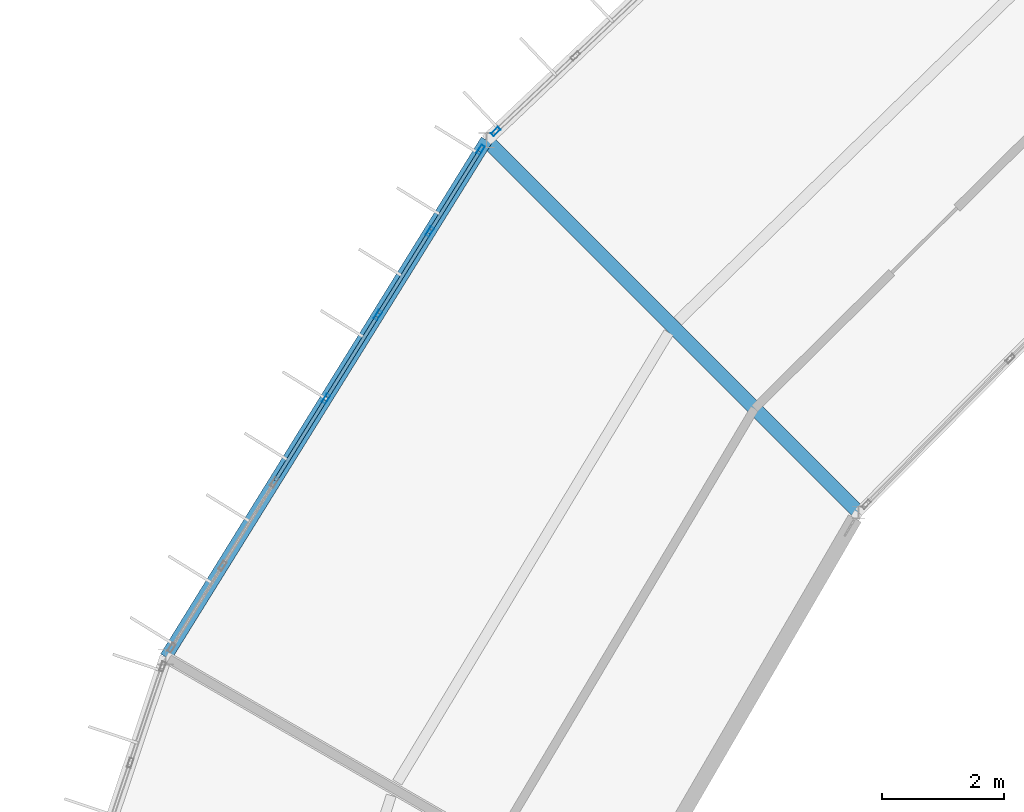
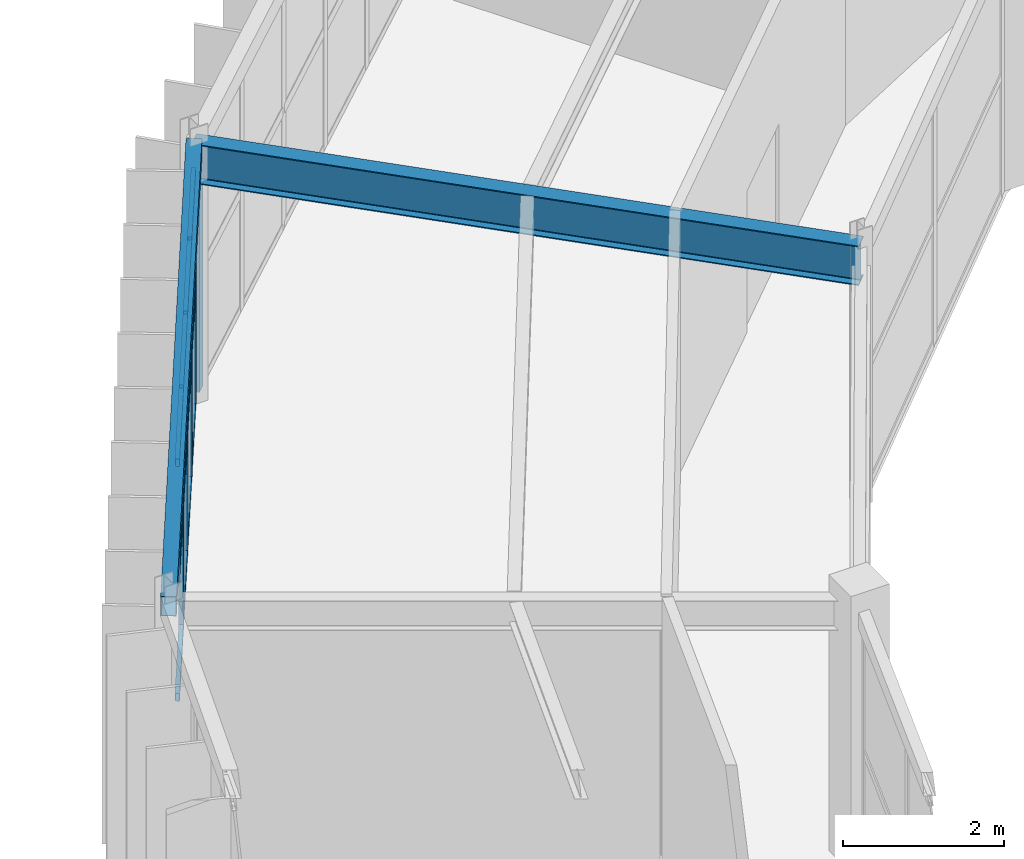
# One storey, part 86 of 157: 17 members, 2 beams, 2 elements without a shape of their own.
"""IFC4 building model written with IfcOpenShell, lengths in metres."""

import ifcopenshell
import ifcopenshell.guid

model = None  # the IFC model being written
_history = None  # IfcOwnerHistory: only IFC2X3 demands one
_inside = {}  # id of a spatial element -> (the spatial element, [elements in it])
_under = {}  # id of a project, library or spatial element -> (it, [spatial elements below it])
_declared = {}  # id of a project -> (the project, [libraries it declares])
_typed = {}  # id of a type object -> (the type object, [elements of that type])
_made_of = {}  # id of a material, layer set ... -> (it, [elements and type objects made of it])


def new_model(schema):
    """Start an empty IFC model of exactly this schema.

    Asked for "IFC4X3", IfcOpenShell would pick the latest addendum, in which some entities
    have other attributes; the version numbers below select the first issue.
    IFC2X3 requires an IfcOwnerHistory on every rooted entity: one is made here for all.
    """
    global model, _history
    if schema == "IFC4X3":
        model = ifcopenshell.file(schema_version=(4, 3, 0, 0))
    else:
        model = ifcopenshell.file(schema=schema)
    _inside.clear()
    _under.clear()
    _declared.clear()
    _typed.clear()
    _made_of.clear()
    _history = None
    if model.schema == "IFC2X3":
        org = make("IfcOrganization", Name="unknown")
        user = make(
            "IfcPersonAndOrganization",
            ThePerson=make("IfcPerson", FamilyName="unknown"),
            TheOrganization=org,
        )
        app = make(
            "IfcApplication",
            ApplicationDeveloper=org,
            Version="unknown",
            ApplicationFullName="unknown",
            ApplicationIdentifier="unknown",
        )
        _history = make(
            "IfcOwnerHistory",
            OwningUser=user,
            OwningApplication=app,
            ChangeAction="ADDED",
            CreationDate=0,
        )
    return model


def make(cls, **values):
    """One entity of the class cls with the attributes given. An attribute that is None is left unset."""
    return model.create_entity(
        cls, **{name: value for name, value in values.items() if value is not None}
    )


def rooted(cls, **values):
    """An entity with a GlobalId (a new one), such as an element, a storey or a relation."""
    return make(cls, GlobalId=ifcopenshell.guid.new(), OwnerHistory=_history, **values)


def si_unit(unit_type, name, prefix=None):
    """IfcSIUnit, for example si_unit("LENGTHUNIT", "METRE", prefix="MILLI")."""
    return make("IfcSIUnit", UnitType=unit_type, Prefix=prefix, Name=name)


def assignment(units):
    """IfcUnitAssignment: the units of a project."""
    return None if units is None else make("IfcUnitAssignment", Units=units)


def point(xyz):
    """IfcCartesianPoint."""
    return None if xyz is None else make("IfcCartesianPoint", Coordinates=xyz)


def direction(xyz):
    """IfcDirection."""
    return None if xyz is None else make("IfcDirection", DirectionRatios=xyz)


def frame(location, z_axis=None, x_axis=None):
    """IfcAxis2Placement3D, a coordinate frame: its origin and axes. An axis left out is left unset."""
    return make(
        "IfcAxis2Placement3D",
        Location=point(location),
        Axis=direction(z_axis),
        RefDirection=direction(x_axis),
    )


def frame_2d(location, x_axis=None):
    """IfcAxis2Placement2D, a coordinate frame in the plane: its origin and x axis."""
    return make(
        "IfcAxis2Placement2D", Location=point(location), RefDirection=direction(x_axis)
    )


def origin():
    """The frame at (0, 0, 0) with its axes left unset."""
    return frame((0.0, 0.0, 0.0))


def origin_2d():
    """The frame at (0, 0) in the plane with its x axis left unset."""
    return frame_2d((0.0, 0.0))


def place(relative_to, where):
    """IfcLocalPlacement: puts the frame where relative to a parent placement (None: the world)."""
    return make(
        "IfcLocalPlacement", PlacementRelTo=relative_to, RelativePlacement=where
    )


def context(
    kind, dimensions, precision=None, world=None, true_north=None, identifier=None
):
    """IfcGeometricRepresentationContext, for example the 3D "Model" context."""
    return make(
        "IfcGeometricRepresentationContext",
        ContextIdentifier=identifier,
        ContextType=kind,
        CoordinateSpaceDimension=dimensions,
        Precision=precision,
        WorldCoordinateSystem=world,
        TrueNorth=true_north,
    )


def subcontext(parent, identifier, kind, view, scale=None):
    """IfcGeometricRepresentationSubContext, for example "Body" below "Model"."""
    return make(
        "IfcGeometricRepresentationSubContext",
        ContextIdentifier=identifier,
        ContextType=kind,
        ParentContext=parent,
        TargetScale=scale,
        TargetView=view,
    )


def project(units=None, contexts=None):
    """IfcProject with its units and contexts."""
    return rooted(
        "IfcProject",
        Name="project",
        RepresentationContexts=contexts,
        UnitsInContext=assignment(units),
    )


def spatial(cls, under=None, at=None, **own):
    """A site, building, storey or space (cls), placed at a placement, below another one or the project."""
    s = rooted(cls, ObjectPlacement=at, **own)
    if under is not None:
        _under.setdefault(under.id(), (under, []))[1].append(s)
    return s


def profile(cls, at=None, kind="AREA", **sizes):
    """A parametric profile (cls). Its sizes go by their IFC names, for example OverallWidth=200.0."""
    return make(cls, ProfileType=kind, Position=at, **sizes)


def hollow_rectangle(**sizes):
    """IfcRectangleHollowProfileDef."""
    return profile("IfcRectangleHollowProfileDef", **sizes)


def i_section(**sizes):
    """IfcIShapeProfileDef."""
    return profile("IfcIShapeProfileDef", **sizes)


def extrude(swept, where, along, depth):
    """IfcExtrudedAreaSolid: the profile swept, set in the frame where, extruded along a direction by depth."""
    return make(
        "IfcExtrudedAreaSolid",
        SweptArea=swept,
        Position=where,
        ExtrudedDirection=direction(along),
        Depth=depth,
    )


def shape(context_of_items, identifier, shape_type, items):
    """IfcShapeRepresentation: the items that make up one representation, for example the "Body"."""
    return make(
        "IfcShapeRepresentation",
        ContextOfItems=context_of_items,
        RepresentationIdentifier=identifier,
        RepresentationType=shape_type,
        Items=items,
    )


def material(Name=None, Category=None):
    """IfcMaterial."""
    return make("IfcMaterial", Name=Name, Category=Category)


def material_profile(
    of_material, cross_section, Name=None, Category=None, Priority=None
):
    """IfcMaterialProfile: a cross section and its material."""
    return make(
        "IfcMaterialProfile",
        Name=Name,
        Material=of_material,
        Profile=cross_section,
        Priority=Priority,
        Category=Category,
    )


def profile_set(profiles, Name=None, composite=None):
    """IfcMaterialProfileSet."""
    return make(
        "IfcMaterialProfileSet",
        Name=Name,
        MaterialProfiles=profiles,
        CompositeProfile=composite,
    )


def made_of(thing, what):
    """Note that an element or type object is made of a material, layer set ...; save() writes the relation."""
    if what is not None:
        _made_of.setdefault(what.id(), (what, []))[1].append(thing)
    return thing


def type_object(cls, material=None, **own):
    """A type object (cls), such as IfcWallType, which elements share."""
    return made_of(rooted(cls, **own), material)


def element(
    cls,
    number,
    at=None,
    inside=None,
    cuts=None,
    type_object=None,
    material=None,
    context=None,
    identifier="Body",
    shape_type=None,
    held_by="IfcProductDefinitionShape",
    body=None,
    shapes=None,
    **own,
):
    """One element of the class cls, such as IfcWall. Its Tag is "e" and its number.

    at: its placement. inside: the storey or other place that contains it. cuts: it is an
    opening in that element (IfcRelVoidsElement). A single representation is given by context,
    identifier, shape_type and body (its items); several are given by shapes. held_by: the class
    of the entity that holds the representations. save() writes the other relations.
    """
    e = rooted(cls, Tag="e%d" % number, ObjectPlacement=at, **own)
    if body is not None:
        shapes = [shape(context, identifier, shape_type, body)]
    if shapes is not None:
        e.Representation = make(held_by, Representations=shapes)
    if inside is not None:
        _inside.setdefault(inside.id(), (inside, []))[1].append(e)
    if cuts is not None:
        rooted(
            "IfcRelVoidsElement", RelatingBuildingElement=cuts, RelatedOpeningElement=e
        )
    if type_object is not None:
        _typed.setdefault(type_object.id(), (type_object, []))[1].append(e)
    return made_of(e, material)


def aggregate(whole, parts):
    """IfcRelAggregates: a whole, such as a stair, and the parts it consists of."""
    return rooted("IfcRelAggregates", RelatingObject=whole, RelatedObjects=parts)


def save(model, path):
    """Write the relations noted so far, then the file.

    IfcRelAggregates (storeys below a building ...), IfcRelContainedInSpatialStructure (elements
    in a storey), IfcRelDefinesByType, IfcRelAssociatesMaterial and IfcRelDeclares: one each for
    every whole, place, type object, material and project.
    """
    for whole, parts in _under.values():
        aggregate(whole, parts)
    for where, things in _inside.values():
        rooted(
            "IfcRelContainedInSpatialStructure",
            RelatedElements=things,
            RelatingStructure=where,
        )
    for kind, things in _typed.values():
        rooted("IfcRelDefinesByType", RelatedObjects=things, RelatingType=kind)
    for what, things in _made_of.values():
        rooted("IfcRelAssociatesMaterial", RelatedObjects=things, RelatingMaterial=what)
    for by, libraries in _declared.values():
        rooted("IfcRelDeclares", RelatingContext=by, RelatedDefinitions=libraries)
    model.write(path)


model = new_model("IFC4")

# Units and contexts
model_context = context("Model", 3, precision=1e-05, world=origin(), true_north=direction((0.0, 1.0)))
body_context = subcontext(model_context, "Body", "Model", "MODEL_VIEW")
ifc_project = project(units=[si_unit("LENGTHUNIT", "METRE"), si_unit("AREAUNIT", "SQUARE_METRE"), si_unit("VOLUMEUNIT", "CUBIC_METRE"), si_unit("PLANEANGLEUNIT", "RADIAN"), si_unit("MASSUNIT", "GRAM", prefix="KILO")], contexts=[model_context])

# Site, building, storey
site_placement = place(None, origin())
site = spatial("IfcSite", under=ifc_project, at=site_placement, CompositionType="ELEMENT")
building_placement = place(site_placement, origin())
building = spatial("IfcBuilding", under=site, at=building_placement, Name="Karori Crest Natural Sciences Institute", CompositionType="ELEMENT")
storey_placement = place(building_placement, frame((0.0, 0.0, 13.300048828125)))
storey = spatial("IfcBuildingStorey", under=building, at=storey_placement, Name="L03", CompositionType="ELEMENT", Elevation=13.300048828125)

# Beams
ifc_material_1 = material(Name="Hollow structural steel AS/NZS 1163 Grade C350", Category="steel")
ifc_material_profile_1 = material_profile(ifc_material_1, hollow_rectangle(XDim=0.199951171875, YDim=0.300048828125, WallThickness=0.010009765625, at=origin_2d()), Name="RHS300x200x10")
ifc_profile_set_1 = profile_set([ifc_material_profile_1], Name="Hollow structural steel AS/NZS 1163 Grade C350")
beam_type_1 = type_object("IfcBeamType", Name="BT-15", PredefinedType="SPANDREL", material=ifc_profile_set_1)
beam_1_placement = place(storey_placement, frame((43.0654296875, 78.75, 3.7900390625), z_axis=(-0.527315195609, -0.849669750244, 0.0), x_axis=(0.849669750244, -0.527315195609, 0.0)))
element("IfcBeam", 1, at=beam_1_placement, inside=storey, type_object=beam_type_1, Name="Beam B-0395", PredefinedType="SPANDREL", context=body_context, shape_type="SweptSolid", body=[
    extrude(hollow_rectangle(XDim=0.199951171875, YDim=0.300048828125, WallThickness=0.010009765625, at=origin_2d()), origin(), (0.0, 0.0, 1.0), 9.945068359375),
])
ifc_material_2 = material(Name="Structural steel AS/NZS 3679.1 Grade 350", Category="steel")
ifc_material_profile_2 = material_profile(ifc_material_2, i_section(OverallWidth=0.22802734375, OverallDepth=0.60205078125, WebThickness=0.010498046875, FlangeThickness=0.014892578125, FilletRadius=0.013916015625, at=origin_2d()), Name="610UB101")
ifc_profile_set_2 = profile_set([ifc_material_profile_2], Name="Structural steel AS/NZS 3679.1 Grade 350")
beam_type_2 = type_object("IfcBeamType", Name="BT-27", PredefinedType="BEAM", material=ifc_profile_set_2)
beam_2_placement = place(storey_placement, frame((49.146484375, 72.668701171875, 3.638916015625), z_axis=(-0.707092586958, 0.70712097513, 0.0), x_axis=(-0.70712097513, -0.707092586958, 0.0)))
element("IfcBeam", 2, at=beam_2_placement, inside=storey, type_object=beam_type_2, Name="Beam B-0397", PredefinedType="BEAM", context=body_context, shape_type="SweptSolid", body=[
    extrude(i_section(OverallWidth=0.22802734375, OverallDepth=0.60205078125, WebThickness=0.010498046875, FlangeThickness=0.014892578125, FilletRadius=0.013916015625, at=origin_2d()), origin(), (0.0, 0.0, 1.0), 8.60009765625),
])

# Curtain wall, member
ifc_material_3 = material(Name="Anodised architectural aluminium 6063-T6", Category="aluminium")
curtain_wall_type_1 = type_object("IfcCurtainWallType", Name="CWT-09", PredefinedType="NOTDEFINED", material=ifc_material_3)
curtain_wall_1_placement = place(storey_placement, origin())
curtain_wall_1 = element("IfcCurtainWall", 3, at=curtain_wall_1_placement, inside=storey, type_object=curtain_wall_type_1, Name="Curtain wall CW-0112", PredefinedType="NOTDEFINED")
ifc_material_profile_3 = material_profile(ifc_material_3, hollow_rectangle(XDim=0.06494140625, YDim=0.159912109375, WallThickness=0.00390625, at=origin_2d()), Name="CWM160x65x4")
ifc_profile_set_3 = profile_set([ifc_material_profile_3], Name="Anodised architectural aluminium 6063-T6")
member_type_1 = type_object("IfcMemberType", Name="CWM-01", PredefinedType="MULLION", material=ifc_profile_set_3)
member_1_placement = place(storey_placement, frame((43.215576171875, 78.892333984375, 0.0), z_axis=(0.0, 0.0, 1.0), x_axis=(-0.688250542104, 0.725473081026, 0.0)))
member_1 = element("IfcMember", 4, at=member_1_placement, type_object=member_type_1, Name="CW-0112 mullion 1", PredefinedType="MULLION", context=body_context, shape_type="SweptSolid", body=[
    extrude(hollow_rectangle(XDim=0.06494140625, YDim=0.159912109375, WallThickness=0.00390625, at=origin_2d()), origin(), (0.0, 0.0, 1.0), 3.625),
])
aggregate(curtain_wall_1, [member_1])

# Curtain wall, members
curtain_wall_type_2 = type_object("IfcCurtainWallType", Name="CWT-10", PredefinedType="NOTDEFINED", material=ifc_material_3)
curtain_wall_2_placement = place(storey_placement, origin())
curtain_wall_2 = element("IfcCurtainWall", 5, at=curtain_wall_2_placement, inside=storey, type_object=curtain_wall_type_2, Name="Curtain wall CW-0114", PredefinedType="NOTDEFINED")
member_2_placement = place(storey_placement, frame((40.4423828125, 74.5234375, 0.0), z_axis=(0.0, 0.0, 1.0), x_axis=(-0.849664350398, 0.527323896352, 0.0)))
member_2 = element("IfcMember", 6, at=member_2_placement, type_object=member_type_1, Name="CW-0114 mullion 4", PredefinedType="MULLION", context=body_context, shape_type="SweptSolid", body=[
    extrude(hollow_rectangle(XDim=0.06494140625, YDim=0.159912109375, WallThickness=0.00390625, at=origin_2d()), origin(), (0.0, 0.0, 1.0), 3.625),
])
member_3_placement = place(storey_placement, frame((41.290283203125, 75.8896484375, 0.0), z_axis=(0.0, 0.0, 1.0), x_axis=(-0.849664350398, 0.527323896352, 0.0)))
member_3 = element("IfcMember", 7, at=member_3_placement, type_object=member_type_1, Name="CW-0114 mullion 5", PredefinedType="MULLION", context=body_context, shape_type="SweptSolid", body=[
    extrude(hollow_rectangle(XDim=0.06494140625, YDim=0.159912109375, WallThickness=0.00390625, at=origin_2d()), origin(), (0.0, 0.0, 1.0), 3.625),
])
member_4_placement = place(storey_placement, frame((42.13818359375, 77.255615234375, 0.0), z_axis=(0.0, 0.0, 1.0), x_axis=(-0.849664350398, 0.527323896352, 0.0)))
member_4 = element("IfcMember", 8, at=member_4_placement, type_object=member_type_1, Name="CW-0114 mullion 6", PredefinedType="MULLION", context=body_context, shape_type="SweptSolid", body=[
    extrude(hollow_rectangle(XDim=0.06494140625, YDim=0.159912109375, WallThickness=0.00390625, at=origin_2d()), origin(), (0.0, 0.0, 1.0), 3.625),
])
member_5_placement = place(storey_placement, frame((42.96875, 78.593994140625, 0.0), z_axis=(0.0, 0.0, 1.0), x_axis=(-0.849664350398, 0.527323896352, 0.0)))
member_5 = element("IfcMember", 9, at=member_5_placement, type_object=member_type_1, Name="CW-0114 mullion 7", PredefinedType="MULLION", context=body_context, shape_type="SweptSolid", body=[
    extrude(hollow_rectangle(XDim=0.06494140625, YDim=0.159912109375, WallThickness=0.00390625, at=origin_2d()), origin(), (0.0, 0.0, 1.0), 3.625),
])
ifc_material_profile_4 = material_profile(ifc_material_3, hollow_rectangle(XDim=0.06005859375, YDim=0.1201171875, WallThickness=0.00390625, at=origin_2d()), Name="CWT120x60x4")
ifc_profile_set_4 = profile_set([ifc_material_profile_4], Name="Anodised architectural aluminium 6063-T6")
member_type_2 = type_object("IfcMemberType", Name="CWT-TR1", PredefinedType="USERDEFINED", material=ifc_profile_set_4)
member_6_placement = place(storey_placement, frame((39.61181640625, 73.18505859375, 0.030029296875), z_axis=(0.527307708925, 0.849674396524, 0.0), x_axis=(-0.849674396524, 0.527307708925, 0.0)))
member_6 = element("IfcMember", 10, at=member_6_placement, type_object=member_type_2, Name="CW-0114 transom 3.1", ObjectType="TRANSOM", PredefinedType="USERDEFINED", context=body_context, shape_type="SweptSolid", body=[
    extrude(hollow_rectangle(XDim=0.06005859375, YDim=0.1201171875, WallThickness=0.00390625, at=origin_2d()), origin(), (0.0, 0.0, 1.0), 1.542724609375),
])
member_7_placement = place(storey_placement, frame((39.61181640625, 73.18505859375, 1.8125), z_axis=(0.527307708925, 0.849674396524, 0.0), x_axis=(-0.849674396524, 0.527307708925, 0.0)))
member_7 = element("IfcMember", 11, at=member_7_placement, type_object=member_type_2, Name="CW-0114 transom 3.2", ObjectType="TRANSOM", PredefinedType="USERDEFINED", context=body_context, shape_type="SweptSolid", body=[
    extrude(hollow_rectangle(XDim=0.06005859375, YDim=0.1201171875, WallThickness=0.00390625, at=origin_2d()), origin(), (0.0, 0.0, 1.0), 1.542724609375),
])
member_8_placement = place(storey_placement, frame((39.61181640625, 73.18505859375, 3.594970703125), z_axis=(0.527307708925, 0.849674396524, 0.0), x_axis=(-0.849674396524, 0.527307708925, 0.0)))
member_8 = element("IfcMember", 12, at=member_8_placement, type_object=member_type_2, Name="CW-0114 transom 3.3", ObjectType="TRANSOM", PredefinedType="USERDEFINED", context=body_context, shape_type="SweptSolid", body=[
    extrude(hollow_rectangle(XDim=0.06005859375, YDim=0.1201171875, WallThickness=0.00390625, at=origin_2d()), origin(), (0.0, 0.0, 1.0), 1.542724609375),
])
member_9_placement = place(storey_placement, frame((40.45947265625, 74.551025390625, 0.030029296875), z_axis=(0.527351046072, 0.849647499971, 0.0), x_axis=(-0.849647499971, 0.527351046072, 0.0)))
member_9 = element("IfcMember", 13, at=member_9_placement, type_object=member_type_2, Name="CW-0114 transom 4.1", ObjectType="TRANSOM", PredefinedType="USERDEFINED", context=body_context, shape_type="SweptSolid", body=[
    extrude(hollow_rectangle(XDim=0.06005859375, YDim=0.1201171875, WallThickness=0.00390625, at=origin_2d()), origin(), (0.0, 0.0, 1.0), 1.54296875),
])
member_10_placement = place(storey_placement, frame((40.45947265625, 74.551025390625, 1.8125), z_axis=(0.527351046072, 0.849647499971, 0.0), x_axis=(-0.849647499971, 0.527351046072, 0.0)))
member_10 = element("IfcMember", 14, at=member_10_placement, type_object=member_type_2, Name="CW-0114 transom 4.2", ObjectType="TRANSOM", PredefinedType="USERDEFINED", context=body_context, shape_type="SweptSolid", body=[
    extrude(hollow_rectangle(XDim=0.06005859375, YDim=0.1201171875, WallThickness=0.00390625, at=origin_2d()), origin(), (0.0, 0.0, 1.0), 1.54296875),
])
member_11_placement = place(storey_placement, frame((40.45947265625, 74.551025390625, 3.594970703125), z_axis=(0.527351046072, 0.849647499971, 0.0), x_axis=(-0.849647499971, 0.527351046072, 0.0)))
member_11 = element("IfcMember", 15, at=member_11_placement, type_object=member_type_2, Name="CW-0114 transom 4.3", ObjectType="TRANSOM", PredefinedType="USERDEFINED", context=body_context, shape_type="SweptSolid", body=[
    extrude(hollow_rectangle(XDim=0.06005859375, YDim=0.1201171875, WallThickness=0.00390625, at=origin_2d()), origin(), (0.0, 0.0, 1.0), 1.54296875),
])
member_12_placement = place(storey_placement, frame((41.307373046875, 75.917236328125, 0.030029296875), z_axis=(0.527307708925, 0.849674396524, 0.0), x_axis=(-0.849674396524, 0.527307708925, 0.0)))
member_12 = element("IfcMember", 16, at=member_12_placement, type_object=member_type_2, Name="CW-0114 transom 5.1", ObjectType="TRANSOM", PredefinedType="USERDEFINED", context=body_context, shape_type="SweptSolid", body=[
    extrude(hollow_rectangle(XDim=0.06005859375, YDim=0.1201171875, WallThickness=0.00390625, at=origin_2d()), origin(), (0.0, 0.0, 1.0), 1.542724609375),
])
member_13_placement = place(storey_placement, frame((41.307373046875, 75.917236328125, 1.8125), z_axis=(0.527307708925, 0.849674396524, 0.0), x_axis=(-0.849674396524, 0.527307708925, 0.0)))
member_13 = element("IfcMember", 17, at=member_13_placement, type_object=member_type_2, Name="CW-0114 transom 5.2", ObjectType="TRANSOM", PredefinedType="USERDEFINED", context=body_context, shape_type="SweptSolid", body=[
    extrude(hollow_rectangle(XDim=0.06005859375, YDim=0.1201171875, WallThickness=0.00390625, at=origin_2d()), origin(), (0.0, 0.0, 1.0), 1.542724609375),
])
member_14_placement = place(storey_placement, frame((41.307373046875, 75.917236328125, 3.594970703125), z_axis=(0.527307708925, 0.849674396524, 0.0), x_axis=(-0.849674396524, 0.527307708925, 0.0)))
member_14 = element("IfcMember", 18, at=member_14_placement, type_object=member_type_2, Name="CW-0114 transom 5.3", ObjectType="TRANSOM", PredefinedType="USERDEFINED", context=body_context, shape_type="SweptSolid", body=[
    extrude(hollow_rectangle(XDim=0.06005859375, YDim=0.1201171875, WallThickness=0.00390625, at=origin_2d()), origin(), (0.0, 0.0, 1.0), 1.542724609375),
])
member_15_placement = place(storey_placement, frame((42.1552734375, 77.283203125, 0.030029296875), z_axis=(0.52732262058, 0.849665142173, 0.0), x_axis=(-0.849665142173, 0.52732262058, 0.0)))
member_15 = element("IfcMember", 19, at=member_15_placement, type_object=member_type_2, Name="CW-0114 transom 6.1", ObjectType="TRANSOM", PredefinedType="USERDEFINED", context=body_context, shape_type="SweptSolid", body=[
    extrude(hollow_rectangle(XDim=0.06005859375, YDim=0.1201171875, WallThickness=0.00390625, at=origin_2d()), origin(), (0.0, 0.0, 1.0), 1.51025390625),
])
member_16_placement = place(storey_placement, frame((42.1552734375, 77.283203125, 1.8125), z_axis=(0.52732262058, 0.849665142173, 0.0), x_axis=(-0.849665142173, 0.52732262058, 0.0)))
member_16 = element("IfcMember", 20, at=member_16_placement, type_object=member_type_2, Name="CW-0114 transom 6.2", ObjectType="TRANSOM", PredefinedType="USERDEFINED", context=body_context, shape_type="SweptSolid", body=[
    extrude(hollow_rectangle(XDim=0.06005859375, YDim=0.1201171875, WallThickness=0.00390625, at=origin_2d()), origin(), (0.0, 0.0, 1.0), 1.51025390625),
])
member_17_placement = place(storey_placement, frame((42.1552734375, 77.283203125, 3.594970703125), z_axis=(0.52732262058, 0.849665142173, 0.0), x_axis=(-0.849665142173, 0.52732262058, 0.0)))
member_17 = element("IfcMember", 21, at=member_17_placement, type_object=member_type_2, Name="CW-0114 transom 6.3", ObjectType="TRANSOM", PredefinedType="USERDEFINED", context=body_context, shape_type="SweptSolid", body=[
    extrude(hollow_rectangle(XDim=0.06005859375, YDim=0.1201171875, WallThickness=0.00390625, at=origin_2d()), origin(), (0.0, 0.0, 1.0), 1.51025390625),
])
aggregate(curtain_wall_2, [member_2, member_3, member_4, member_5, member_6, member_7, member_8, member_9, member_10, member_11, member_12, member_13, member_14, member_15, member_16, member_17])

save(model, "model.ifc")
